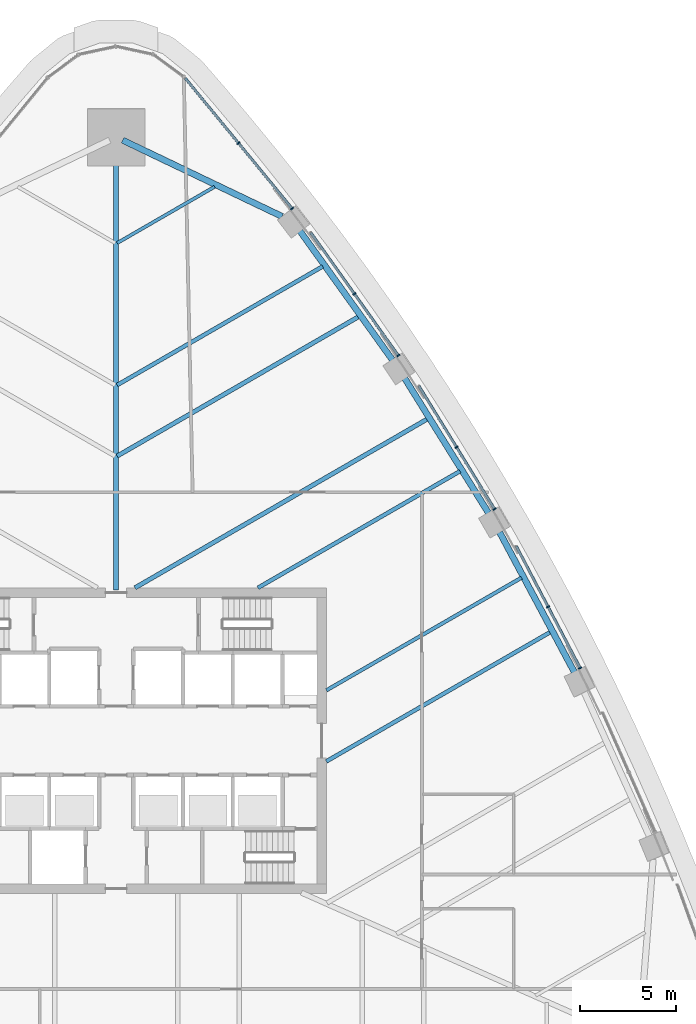
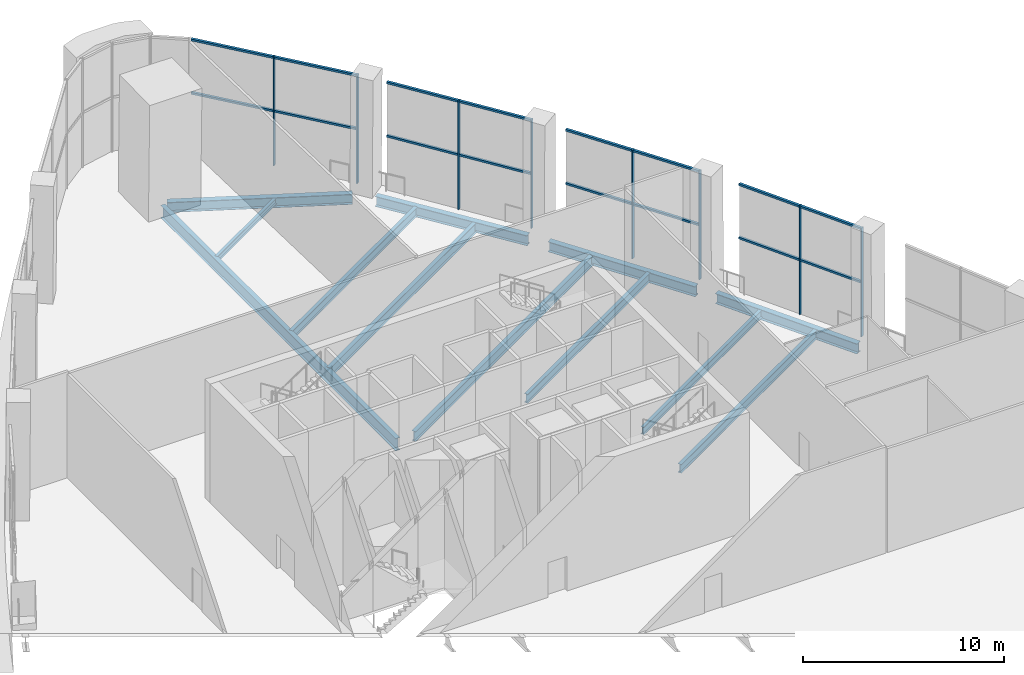
# One storey, part 8 of 23: 24 members, 12 beams, 4 elements without a shape of their own.
"""IFC4 building model written with IfcOpenShell, lengths in metres."""

from ifc_helpers import new_model, si_unit, direction, frame, origin, origin_2d, place, context, subcontext, project, spatial, rectangle, i_section, extrude, material, layer, layer_set, material_profile, profile_set, type_object, element, aggregate, save


model = new_model("IFC4")

# Units and contexts
model_context = context("Model", 3, precision=1e-05, world=origin(), true_north=direction((0.0, 1.0)))
body_context = subcontext(model_context, "Body", "Model", "MODEL_VIEW")
ifc_project = project(units=[si_unit("LENGTHUNIT", "METRE"), si_unit("AREAUNIT", "SQUARE_METRE"), si_unit("VOLUMEUNIT", "CUBIC_METRE"), si_unit("PLANEANGLEUNIT", "RADIAN"), si_unit("MASSUNIT", "GRAM", prefix="KILO")], contexts=[model_context])

# Site, building, storey
site_placement = place(None, origin())
site = spatial("IfcSite", under=ifc_project, at=site_placement, CompositionType="ELEMENT")
building_placement = place(site_placement, origin())
building = spatial("IfcBuilding", under=site, at=building_placement, Name="Sierra Prisma Convention Tower", CompositionType="ELEMENT")
storey_placement = place(building_placement, frame((0.0, 0.0, 40.800048828125)))
storey = spatial("IfcBuildingStorey", under=building, at=storey_placement, Name="L06", CompositionType="ELEMENT", Elevation=40.800048828125)

# Curtain wall, members
ifc_material_1 = material(Name="Aluminium and glass curtain wall", Category="aluminium")
ifc_layer = layer(ifc_material_1, 0.179931640625)
ifc_layer_set = layer_set([ifc_layer], Name="CW-4 Sky lobby double-height curtain wall")
curtain_wall_type = type_object("IfcCurtainWallType", Name="CW-4 Sky lobby double-height curtain wall", PredefinedType="NOTDEFINED", material=ifc_layer_set)
curtain_wall_1_placement = place(storey_placement, origin())
curtain_wall_1 = element("IfcCurtainWall", 1, at=curtain_wall_1_placement, inside=storey, type_object=curtain_wall_type, Name="CW-4 NE3 L06", PredefinedType="NOTDEFINED")
ifc_material_2 = material(Name="Aluminium 6063-T6 bronze anodised", Category="aluminium")
ifc_material_profile_1 = material_profile(ifc_material_2, rectangle(XDim=0.179931640625, YDim=0.070068359375, at=origin_2d()), Name="ALU MULLION 70x180")
ifc_profile_set_1 = profile_set([ifc_material_profile_1], Name="Aluminium 6063-T6 bronze anodised")
member_type_1 = type_object("IfcMemberType", Name="CW mullion bronze", PredefinedType="MULLION", material=ifc_profile_set_1)
member_1_placement = place(storey_placement, frame((24.27685546875, 3.802490234375, 0.0), z_axis=(0.0, 0.0, 1.0), x_axis=(-0.885703733207, -0.464250898742, 0.0)))
member_1 = element("IfcMember", 2, at=member_1_placement, type_object=member_type_1, Name="CW-4 mullion NE3.1", PredefinedType="MULLION", context=body_context, shape_type="SweptSolid", body=[
    extrude(rectangle(XDim=0.179931640625, YDim=0.070068359375, at=origin_2d()), origin(), (0.0, 0.0, 1.0), 6.599853515625),
])
member_2_placement = place(storey_placement, frame((22.597412109375, 7.006591796875, 0.0), z_axis=(0.0, 0.0, 1.0), x_axis=(-0.885703733207, -0.464250898742, 0.0)))
member_2 = element("IfcMember", 3, at=member_2_placement, type_object=member_type_1, Name="CW-4 mullion NE3.2", PredefinedType="MULLION", context=body_context, shape_type="SweptSolid", body=[
    extrude(rectangle(XDim=0.179931640625, YDim=0.070068359375, at=origin_2d()), origin(), (0.0, 0.0, 1.0), 6.599853515625),
])

curtain_wall_2_placement = place(storey_placement, origin())
curtain_wall_2 = element("IfcCurtainWall", 4, at=curtain_wall_2_placement, inside=storey, type_object=curtain_wall_type, Name="CW-4 NE4 L06", PredefinedType="NOTDEFINED")
member_3_placement = place(storey_placement, frame((19.79736328125, 12.117431640625, 0.0), z_axis=(0.0, 0.0, 1.0), x_axis=(-0.852104746568, -0.523371283962, 0.0)))
member_3 = element("IfcMember", 5, at=member_3_placement, type_object=member_type_1, Name="CW-4 mullion NE4.1", PredefinedType="MULLION", context=body_context, shape_type="SweptSolid", body=[
    extrude(rectangle(XDim=0.179931640625, YDim=0.070068359375, at=origin_2d()), origin(), (0.0, 0.0, 1.0), 6.599853515625),
])
member_4_placement = place(storey_placement, frame((17.807861328125, 15.3564453125, 0.0), z_axis=(0.0, 0.0, 1.0), x_axis=(-0.852104746568, -0.523371283962, 0.0)))
member_4 = element("IfcMember", 6, at=member_4_placement, type_object=member_type_1, Name="CW-4 mullion NE4.2", PredefinedType="MULLION", context=body_context, shape_type="SweptSolid", body=[
    extrude(rectangle(XDim=0.179931640625, YDim=0.070068359375, at=origin_2d()), origin(), (0.0, 0.0, 1.0), 6.599853515625),
])

curtain_wall_3_placement = place(storey_placement, origin())
curtain_wall_3 = element("IfcCurtainWall", 7, at=curtain_wall_3_placement, inside=storey, type_object=curtain_wall_type, Name="CW-4 NE5 L06", PredefinedType="NOTDEFINED")
member_5_placement = place(storey_placement, frame((14.76318359375, 20.151611328125, 0.0), z_axis=(0.0, 0.0, 1.0), x_axis=(-0.814565532272, -0.580071541824, 0.0)))
member_5 = element("IfcMember", 8, at=member_5_placement, type_object=member_type_1, Name="CW-4 mullion NE5.1", PredefinedType="MULLION", context=body_context, shape_type="SweptSolid", body=[
    extrude(rectangle(XDim=0.179931640625, YDim=0.070068359375, at=origin_2d()), origin(), (0.0, 0.0, 1.0), 6.599853515625),
])
member_6_placement = place(storey_placement, frame((12.4619140625, 23.38330078125, 0.0), z_axis=(0.0, 0.0, 1.0), x_axis=(-0.814565532272, -0.580071541824, 0.0)))
member_6 = element("IfcMember", 9, at=member_6_placement, type_object=member_type_1, Name="CW-4 mullion NE5.2", PredefinedType="MULLION", context=body_context, shape_type="SweptSolid", body=[
    extrude(rectangle(XDim=0.179931640625, YDim=0.070068359375, at=origin_2d()), origin(), (0.0, 0.0, 1.0), 6.599853515625),
])

curtain_wall_4_placement = place(storey_placement, origin())
curtain_wall_4 = element("IfcCurtainWall", 10, at=curtain_wall_4_placement, inside=storey, type_object=curtain_wall_type, Name="CW-4 NE6 L06", PredefinedType="NOTDEFINED")
member_7_placement = place(storey_placement, frame((9.207275390625, 27.845703125, 0.0), z_axis=(0.0, 0.0, 1.0), x_axis=(-0.773259675844, -0.634089483996, 0.0)))
member_7 = element("IfcMember", 11, at=member_7_placement, type_object=member_type_1, Name="CW-4 mullion NE6.1", PredefinedType="MULLION", context=body_context, shape_type="SweptSolid", body=[
    extrude(rectangle(XDim=0.179931640625, YDim=0.070068359375, at=origin_2d()), origin(), (0.0, 0.0, 1.0), 6.599853515625),
])
member_8_placement = place(storey_placement, frame((6.39892578125, 31.270263671875, 0.0), z_axis=(0.0, 0.0, 1.0), x_axis=(-0.773259675844, -0.634089483996, 0.0)))
member_8 = element("IfcMember", 12, at=member_8_placement, type_object=member_type_1, Name="CW-4 mullion NE6.2", PredefinedType="MULLION", context=body_context, shape_type="SweptSolid", body=[
    extrude(rectangle(XDim=0.179931640625, YDim=0.070068359375, at=origin_2d()), origin(), (0.0, 0.0, 1.0), 6.599853515625),
])

# Member
ifc_material_3 = material(Name="Aluminium 6063-T6 bronze anodised", Category="aluminium")
ifc_material_profile_2 = material_profile(ifc_material_3, rectangle(XDim=0.139892578125, YDim=0.1201171875, at=origin_2d()), Name="ALU TRANSOM 120x140")
ifc_profile_set_2 = profile_set([ifc_material_profile_2], Name="Aluminium 6063-T6 bronze anodised")
member_type_2 = type_object("IfcMemberType", Name="CW transom bronze", PredefinedType="USERDEFINED", material=ifc_profile_set_2)
member_9_placement = place(storey_placement, frame((24.260498046875, 3.83349609375, 6.5400390625), z_axis=(-0.464253843848, 0.885702189493, 0.0), x_axis=(-0.885702189493, -0.464253843848, 0.0)))
member_9 = element("IfcMember", 13, at=member_9_placement, type_object=member_type_2, Name="CW-4 transom NE3.1", ObjectType="TRANSOM", PredefinedType="USERDEFINED", context=body_context, shape_type="SweptSolid", body=[
    extrude(rectangle(XDim=0.139892578125, YDim=0.1201171875, at=origin_2d()), origin(), (0.0, 0.0, 1.0), 3.547607421875),
])

member_10_placement = place(storey_placement, frame((24.260498046875, 3.83349609375, 3.300048828125), z_axis=(-0.464253843848, 0.885702189493, 0.0), x_axis=(-0.885702189493, -0.464253843848, 0.0)))
member_10 = element("IfcMember", 14, at=member_10_placement, type_object=member_type_2, Name="CW-4 transom NE3.1 mid", ObjectType="TRANSOM", PredefinedType="USERDEFINED", context=body_context, shape_type="SweptSolid", body=[
    extrude(rectangle(XDim=0.139892578125, YDim=0.1201171875, at=origin_2d()), origin(), (0.0, 0.0, 1.0), 3.547607421875),
])

member_11_placement = place(storey_placement, frame((22.5810546875, 7.03759765625, 6.5400390625), z_axis=(-0.464228152618, 0.885715655454, 0.0), x_axis=(-0.885715655454, -0.464228152618, 0.0)))
member_11 = element("IfcMember", 15, at=member_11_placement, type_object=member_type_2, Name="CW-4 transom NE3.2", ObjectType="TRANSOM", PredefinedType="USERDEFINED", context=body_context, shape_type="SweptSolid", body=[
    extrude(rectangle(XDim=0.139892578125, YDim=0.1201171875, at=origin_2d()), origin(), (0.0, 0.0, 1.0), 3.547119140625),
])

member_12_placement = place(storey_placement, frame((22.5810546875, 7.03759765625, 3.300048828125), z_axis=(-0.464228152618, 0.885715655454, 0.0), x_axis=(-0.885715655454, -0.464228152618, 0.0)))
member_12 = element("IfcMember", 16, at=member_12_placement, type_object=member_type_2, Name="CW-4 transom NE3.2 mid", ObjectType="TRANSOM", PredefinedType="USERDEFINED", context=body_context, shape_type="SweptSolid", body=[
    extrude(rectangle(XDim=0.139892578125, YDim=0.1201171875, at=origin_2d()), origin(), (0.0, 0.0, 1.0), 3.547119140625),
])

aggregate(curtain_wall_1, [member_1, member_2, member_9, member_10, member_11, member_12])

member_13_placement = place(storey_placement, frame((19.779052734375, 12.147216796875, 6.5400390625), z_axis=(-0.523378065631, 0.852100581162, 0.0), x_axis=(-0.852100581162, -0.523378065631, 0.0)))
member_13 = element("IfcMember", 17, at=member_13_placement, type_object=member_type_2, Name="CW-4 transom NE4.1", ObjectType="TRANSOM", PredefinedType="USERDEFINED", context=body_context, shape_type="SweptSolid", body=[
    extrude(rectangle(XDim=0.139892578125, YDim=0.1201171875, at=origin_2d()), origin(), (0.0, 0.0, 1.0), 3.731201171875),
])

member_14_placement = place(storey_placement, frame((19.779052734375, 12.147216796875, 3.300048828125), z_axis=(-0.523378065631, 0.852100581162, 0.0), x_axis=(-0.852100581162, -0.523378065631, 0.0)))
member_14 = element("IfcMember", 18, at=member_14_placement, type_object=member_type_2, Name="CW-4 transom NE4.1 mid", ObjectType="TRANSOM", PredefinedType="USERDEFINED", context=body_context, shape_type="SweptSolid", body=[
    extrude(rectangle(XDim=0.139892578125, YDim=0.1201171875, at=origin_2d()), origin(), (0.0, 0.0, 1.0), 3.731201171875),
])

member_15_placement = place(storey_placement, frame((17.78955078125, 15.38623046875, 6.5400390625), z_axis=(-0.52334888689, 0.852118502669, 0.0), x_axis=(-0.852118502669, -0.52334888689, 0.0)))
member_15 = element("IfcMember", 19, at=member_15_placement, type_object=member_type_2, Name="CW-4 transom NE4.2", ObjectType="TRANSOM", PredefinedType="USERDEFINED", context=body_context, shape_type="SweptSolid", body=[
    extrude(rectangle(XDim=0.139892578125, YDim=0.1201171875, at=origin_2d()), origin(), (0.0, 0.0, 1.0), 3.7314453125),
])

member_16_placement = place(storey_placement, frame((17.78955078125, 15.38623046875, 3.300048828125), z_axis=(-0.52334888689, 0.852118502669, 0.0), x_axis=(-0.852118502669, -0.52334888689, 0.0)))
member_16 = element("IfcMember", 20, at=member_16_placement, type_object=member_type_2, Name="CW-4 transom NE4.2 mid", ObjectType="TRANSOM", PredefinedType="USERDEFINED", context=body_context, shape_type="SweptSolid", body=[
    extrude(rectangle(XDim=0.139892578125, YDim=0.1201171875, at=origin_2d()), origin(), (0.0, 0.0, 1.0), 3.7314453125),
])

aggregate(curtain_wall_2, [member_3, member_4, member_13, member_14, member_15, member_16])

member_17_placement = place(storey_placement, frame((14.742919921875, 20.18017578125, 6.5400390625), z_axis=(-0.580082082557, 0.814558025862, 0.0), x_axis=(-0.814558025862, -0.580082082557, 0.0)))
member_17 = element("IfcMember", 21, at=member_17_placement, type_object=member_type_2, Name="CW-4 transom NE5.1", ObjectType="TRANSOM", PredefinedType="USERDEFINED", context=body_context, shape_type="SweptSolid", body=[
    extrude(rectangle(XDim=0.139892578125, YDim=0.1201171875, at=origin_2d()), origin(), (0.0, 0.0, 1.0), 3.897216796875),
])

member_18_placement = place(storey_placement, frame((14.742919921875, 20.18017578125, 3.300048828125), z_axis=(-0.580082082557, 0.814558025862, 0.0), x_axis=(-0.814558025862, -0.580082082557, 0.0)))
member_18 = element("IfcMember", 22, at=member_18_placement, type_object=member_type_2, Name="CW-4 transom NE5.1 mid", ObjectType="TRANSOM", PredefinedType="USERDEFINED", context=body_context, shape_type="SweptSolid", body=[
    extrude(rectangle(XDim=0.139892578125, YDim=0.1201171875, at=origin_2d()), origin(), (0.0, 0.0, 1.0), 3.897216796875),
])

member_19_placement = place(storey_placement, frame((12.441650390625, 23.411865234375, 6.5400390625), z_axis=(-0.580082082557, 0.814558025862, 0.0), x_axis=(-0.814558025862, -0.580082082557, 0.0)))
member_19 = element("IfcMember", 23, at=member_19_placement, type_object=member_type_2, Name="CW-4 transom NE5.2", ObjectType="TRANSOM", PredefinedType="USERDEFINED", context=body_context, shape_type="SweptSolid", body=[
    extrude(rectangle(XDim=0.139892578125, YDim=0.1201171875, at=origin_2d()), origin(), (0.0, 0.0, 1.0), 3.897216796875),
])

member_20_placement = place(storey_placement, frame((12.441650390625, 23.411865234375, 3.300048828125), z_axis=(-0.580082082557, 0.814558025862, 0.0), x_axis=(-0.814558025862, -0.580082082557, 0.0)))
member_20 = element("IfcMember", 24, at=member_20_placement, type_object=member_type_2, Name="CW-4 transom NE5.2 mid", ObjectType="TRANSOM", PredefinedType="USERDEFINED", context=body_context, shape_type="SweptSolid", body=[
    extrude(rectangle(XDim=0.139892578125, YDim=0.1201171875, at=origin_2d()), origin(), (0.0, 0.0, 1.0), 3.897216796875),
])

aggregate(curtain_wall_3, [member_5, member_6, member_17, member_18, member_19, member_20])

member_21_placement = place(storey_placement, frame((9.18505859375, 27.872802734375, 6.5400390625), z_axis=(-0.634109730413, 0.773243072905, 0.0), x_axis=(-0.773243072905, -0.634109730413, 0.0)))
member_21 = element("IfcMember", 25, at=member_21_placement, type_object=member_type_2, Name="CW-4 transom NE6.1", ObjectType="TRANSOM", PredefinedType="USERDEFINED", context=body_context, shape_type="SweptSolid", body=[
    extrude(rectangle(XDim=0.139892578125, YDim=0.1201171875, at=origin_2d()), origin(), (0.0, 0.0, 1.0), 4.358642578125),
])

member_22_placement = place(storey_placement, frame((9.18505859375, 27.872802734375, 3.300048828125), z_axis=(-0.634109730413, 0.773243072905, 0.0), x_axis=(-0.773243072905, -0.634109730413, 0.0)))
member_22 = element("IfcMember", 26, at=member_22_placement, type_object=member_type_2, Name="CW-4 transom NE6.1 mid", ObjectType="TRANSOM", PredefinedType="USERDEFINED", context=body_context, shape_type="SweptSolid", body=[
    extrude(rectangle(XDim=0.139892578125, YDim=0.1201171875, at=origin_2d()), origin(), (0.0, 0.0, 1.0), 4.358642578125),
])

member_23_placement = place(storey_placement, frame((6.376708984375, 31.29736328125, 6.5400390625), z_axis=(-0.634082267437, 0.77326559352, 0.0), x_axis=(-0.77326559352, -0.634082267437, 0.0)))
member_23 = element("IfcMember", 27, at=member_23_placement, type_object=member_type_2, Name="CW-4 transom NE6.2", ObjectType="TRANSOM", PredefinedType="USERDEFINED", context=body_context, shape_type="SweptSolid", body=[
    extrude(rectangle(XDim=0.139892578125, YDim=0.1201171875, at=origin_2d()), origin(), (0.0, 0.0, 1.0), 4.35888671875),
])

member_24_placement = place(storey_placement, frame((6.376708984375, 31.29736328125, 3.300048828125), z_axis=(-0.634082267437, 0.77326559352, 0.0), x_axis=(-0.77326559352, -0.634082267437, 0.0)))
member_24 = element("IfcMember", 28, at=member_24_placement, type_object=member_type_2, Name="CW-4 transom NE6.2 mid", ObjectType="TRANSOM", PredefinedType="USERDEFINED", context=body_context, shape_type="SweptSolid", body=[
    extrude(rectangle(XDim=0.139892578125, YDim=0.1201171875, at=origin_2d()), origin(), (0.0, 0.0, 1.0), 4.35888671875),
])

aggregate(curtain_wall_4, [member_7, member_8, member_21, member_22, member_23, member_24])

# Beams
ifc_material_4 = material(Name="Steel ASTM A992 Gr 50", Category="steel")
ifc_material_profile_3 = material_profile(ifc_material_4, i_section(OverallWidth=0.172119140625, OverallDepth=0.35791015625, WebThickness=0.0078125, FlangeThickness=0.01318359375, at=origin_2d()), Name="W360x57")
ifc_profile_set_3 = profile_set([ifc_material_profile_3], Name="Steel ASTM A992 Gr 50")
beam_type_1 = type_object("IfcBeamType", Name="Floor joist W360x57", PredefinedType="JOIST", material=ifc_profile_set_3)
beam_1_placement = place(storey_placement, frame((5.15185546875, 28.9873046875, -0.3291015625), z_axis=(-0.866024692245, -0.50000123242, 0.0), x_axis=(0.50000123242, -0.866024692245, 0.0)))
element("IfcBeam", 29, at=beam_1_placement, inside=storey, type_object=beam_type_1, Name="Floor joist L06 NE16", PredefinedType="JOIST", context=body_context, shape_type="SweptSolid", body=[
    extrude(i_section(OverallWidth=0.172119140625, OverallDepth=0.35791015625, WebThickness=0.0078125, FlangeThickness=0.01318359375, at=origin_2d()), origin(), (0.0, 0.0, 1.0), 5.8876953125),
])
ifc_material_5 = material(Name="Steel ASTM A992 Gr 50", Category="steel")
ifc_material_profile_4 = material_profile(ifc_material_5, i_section(OverallWidth=0.18994140625, OverallDepth=0.45703125, WebThickness=0.009033203125, FlangeThickness=0.014404296875, at=origin_2d()), Name="W460x74")
ifc_profile_set_4 = profile_set([ifc_material_profile_4], Name="Steel ASTM A992 Gr 50")
beam_type_2 = type_object("IfcBeamType", Name="Floor joist W460x74", PredefinedType="JOIST", material=ifc_profile_set_4)
beam_2_placement = place(storey_placement, frame((21.208740234375, 8.52880859375, -0.378662109375), z_axis=(-0.866024520484, -0.500001529918, 0.0), x_axis=(0.500001529918, -0.866024520484, 0.0)))
element("IfcBeam", 30, at=beam_2_placement, inside=storey, type_object=beam_type_2, Name="Floor joist L06 NE08", PredefinedType="JOIST", context=body_context, shape_type="SweptSolid", body=[
    extrude(i_section(OverallWidth=0.18994140625, OverallDepth=0.45703125, WebThickness=0.009033203125, FlangeThickness=0.014404296875, at=origin_2d()), origin(), (0.0, 0.0, 1.0), 11.7880859375),
])
ifc_material_6 = material(Name="Steel ASTM A992 Gr 50", Category="steel")
ifc_material_profile_5 = material_profile(ifc_material_6, i_section(OverallWidth=0.208984375, OverallDepth=0.532958984375, WebThickness=0.01025390625, FlangeThickness=0.015625, at=origin_2d()), Name="W530x92")
ifc_profile_set_5 = profile_set([ifc_material_profile_5], Name="Steel ASTM A992 Gr 50")
beam_type_3 = type_object("IfcBeamType", Name="Floor joist W530x92", PredefinedType="JOIST", material=ifc_profile_set_5)
beam_3_placement = place(storey_placement, frame((22.72607421875, 5.688720703125, -0.41650390625), z_axis=(-0.866026445548, -0.499998195608, 0.0), x_axis=(0.499998195608, -0.866026445548, 0.0)))
element("IfcBeam", 31, at=beam_3_placement, inside=storey, type_object=beam_type_3, Name="Floor joist L06 NE07", PredefinedType="JOIST", context=body_context, shape_type="SweptSolid", body=[
    extrude(i_section(OverallWidth=0.208984375, OverallDepth=0.532958984375, WebThickness=0.01025390625, FlangeThickness=0.015625, at=origin_2d()), origin(), (0.0, 0.0, 1.0), 13.5400390625),
])
beam_4_placement = place(storey_placement, frame((17.990478515625, 14.102783203125, -0.41650390625), z_axis=(-0.866030034045, -0.499991980068, 0.0), x_axis=(0.499991980068, -0.866030034045, 0.0)))
element("IfcBeam", 32, at=beam_4_placement, inside=storey, type_object=beam_type_3, Name="Floor joist L06 NE10", PredefinedType="JOIST", context=body_context, shape_type="SweptSolid", body=[
    extrude(i_section(OverallWidth=0.208984375, OverallDepth=0.532958984375, WebThickness=0.01025390625, FlangeThickness=0.015625, at=origin_2d()), origin(), (0.0, 0.0, 1.0), 12.205810546875),
])
beam_5_placement = place(storey_placement, frame((10.80712890625, 24.820068359375, -0.41650390625), z_axis=(-0.866022866897, -0.500004393992, 0.0), x_axis=(0.500004393992, -0.866022866897, 0.0)))
element("IfcBeam", 33, at=beam_5_placement, inside=storey, type_object=beam_type_3, Name="Floor joist L06 NE14", PredefinedType="JOIST", context=body_context, shape_type="SweptSolid", body=[
    extrude(i_section(OverallWidth=0.208984375, OverallDepth=0.532958984375, WebThickness=0.01025390625, FlangeThickness=0.015625, at=origin_2d()), origin(), (0.0, 0.0, 1.0), 12.41796875),
])
ifc_material_7 = material(Name="Steel ASTM A992 Gr 50", Category="steel")
ifc_material_profile_6 = material_profile(ifc_material_7, i_section(OverallWidth=0.22802734375, OverallDepth=0.60302734375, WebThickness=0.010498046875, FlangeThickness=0.014892578125, at=origin_2d()), Name="W610x101")
ifc_profile_set_6 = profile_set([ifc_material_profile_6], Name="Steel ASTM A992 Gr 50")
beam_type_4 = type_object("IfcBeamType", Name="Floor joist W610x101", PredefinedType="JOIST", material=ifc_profile_set_6)
beam_6_placement = place(storey_placement, frame((16.28955078125, 16.837158203125, -0.45166015625), z_axis=(-0.866021801617, -0.500006239084, 0.0), x_axis=(0.500006239084, -0.866021801617, 0.0)))
element("IfcBeam", 34, at=beam_6_placement, inside=storey, type_object=beam_type_4, Name="Floor joist L06 NE11", PredefinedType="JOIST", context=body_context, shape_type="SweptSolid", body=[
    extrude(i_section(OverallWidth=0.22802734375, OverallDepth=0.60302734375, WebThickness=0.010498046875, FlangeThickness=0.014892578125, at=origin_2d()), origin(), (0.0, 0.0, 1.0), 17.674072265625),
])
beam_7_placement = place(storey_placement, frame((12.692138671875, 22.192138671875, -0.45166015625), z_axis=(-0.86602847097, -0.499994687441, 0.0), x_axis=(0.499994687441, -0.86602847097, 0.0)))
element("IfcBeam", 35, at=beam_7_placement, inside=storey, type_object=beam_type_4, Name="Floor joist L06 NE13", PredefinedType="JOIST", context=body_context, shape_type="SweptSolid", body=[
    extrude(i_section(OverallWidth=0.22802734375, OverallDepth=0.60302734375, WebThickness=0.010498046875, FlangeThickness=0.014892578125, at=origin_2d()), origin(), (0.0, 0.0, 1.0), 14.594482421875),
])
ifc_material_8 = material(Name="Steel ASTM A992 Gr 50", Category="steel")
ifc_material_profile_7 = material_profile(ifc_material_8, i_section(OverallWidth=0.264892578125, OverallDepth=0.7529296875, WebThickness=0.01318359375, FlangeThickness=0.01708984375, at=origin_2d()), Name="W760x147")
ifc_profile_set_7 = profile_set([ifc_material_profile_7], Name="Steel ASTM A992 Gr 50")
beam_type_5 = type_object("IfcBeamType", Name="Radial girder W760x147", PredefinedType="BEAM", material=ifc_profile_set_7)
beam_8_placement = place(storey_placement, frame((0.0, 31.2470703125, -0.526611328125), z_axis=(0.0, -1.0, 0.0), x_axis=(1.0, 0.0, 0.0)))
element("IfcBeam", 36, at=beam_8_placement, inside=storey, type_object=beam_type_5, Name="Radial girder L06 N", PredefinedType="BEAM", context=body_context, shape_type="SweptSolid", body=[
    extrude(i_section(OverallWidth=0.264892578125, OverallDepth=0.7529296875, WebThickness=0.01318359375, FlangeThickness=0.01708984375, at=origin_2d()), origin(), (0.0, 0.0, 1.0), 23.3671875),
])
ifc_material_9 = material(Name="Steel ASTM A992 Gr 50", Category="steel")
ifc_material_profile_8 = material_profile(ifc_material_9, i_section(OverallWidth=0.324951171875, OverallDepth=0.615966796875, WebThickness=0.013916015625, FlangeThickness=0.021484375, at=origin_2d()), Name="W610x174")
ifc_profile_set_8 = profile_set([ifc_material_profile_8], Name="Steel ASTM A992 Gr 50")
beam_type_6 = type_object("IfcBeamType", Name="Spandrel beam W610x174", PredefinedType="BEAM", material=ifc_profile_set_8)
beam_9_placement = place(storey_placement, frame((23.974365234375, 3.591552734375, -0.4580078125), z_axis=(-0.471271961659, 0.881987946717, 0.0), x_axis=(-0.881987946717, -0.471271961659, 0.0)))
element("IfcBeam", 37, at=beam_9_placement, inside=storey, type_object=beam_type_6, Name="Spandrel L06-09", PredefinedType="BEAM", context=body_context, shape_type="SweptSolid", body=[
    extrude(i_section(OverallWidth=0.324951171875, OverallDepth=0.615966796875, WebThickness=0.013916015625, FlangeThickness=0.021484375, at=origin_2d()), origin(), (0.0, 0.0, 1.0), 8.30126953125),
])
beam_10_placement = place(storey_placement, frame((19.482177734375, 11.917724609375, -0.4580078125), z_axis=(-0.528186925878, 0.849128124214, 0.0), x_axis=(-0.849128124214, -0.528186925878, 0.0)))
element("IfcBeam", 38, at=beam_10_placement, inside=storey, type_object=beam_type_6, Name="Spandrel L06-10", PredefinedType="BEAM", context=body_context, shape_type="SweptSolid", body=[
    extrude(i_section(OverallWidth=0.324951171875, OverallDepth=0.615966796875, WebThickness=0.013916015625, FlangeThickness=0.021484375, at=origin_2d()), origin(), (0.0, 0.0, 1.0), 8.301513671875),
])
beam_11_placement = place(storey_placement, frame((14.45263671875, 19.93115234375, -0.4580078125), z_axis=(-0.582853421491, 0.812577312664, 0.0), x_axis=(-0.812577312664, -0.582853421491, 0.0)))
element("IfcBeam", 39, at=beam_11_placement, inside=storey, type_object=beam_type_6, Name="Spandrel L06-11", PredefinedType="BEAM", context=body_context, shape_type="SweptSolid", body=[
    extrude(i_section(OverallWidth=0.324951171875, OverallDepth=0.615966796875, WebThickness=0.013916015625, FlangeThickness=0.021484375, at=origin_2d()), origin(), (0.0, 0.0, 1.0), 8.30126953125),
])
beam_12_placement = place(storey_placement, frame((8.67626953125, 27.435302734375, -0.4580078125), z_axis=(-0.902043892828, 0.431644315857, 0.0), x_axis=(-0.431644315857, -0.902043892828, 0.0)))
element("IfcBeam", 40, at=beam_12_placement, inside=storey, type_object=beam_type_6, Name="Spandrel L06-12", PredefinedType="BEAM", context=body_context, shape_type="SweptSolid", body=[
    extrude(i_section(OverallWidth=0.324951171875, OverallDepth=0.615966796875, WebThickness=0.013916015625, FlangeThickness=0.021484375, at=origin_2d()), origin(), (0.0, 0.0, 1.0), 9.241455078125),
])

save(model, "model.ifc")
